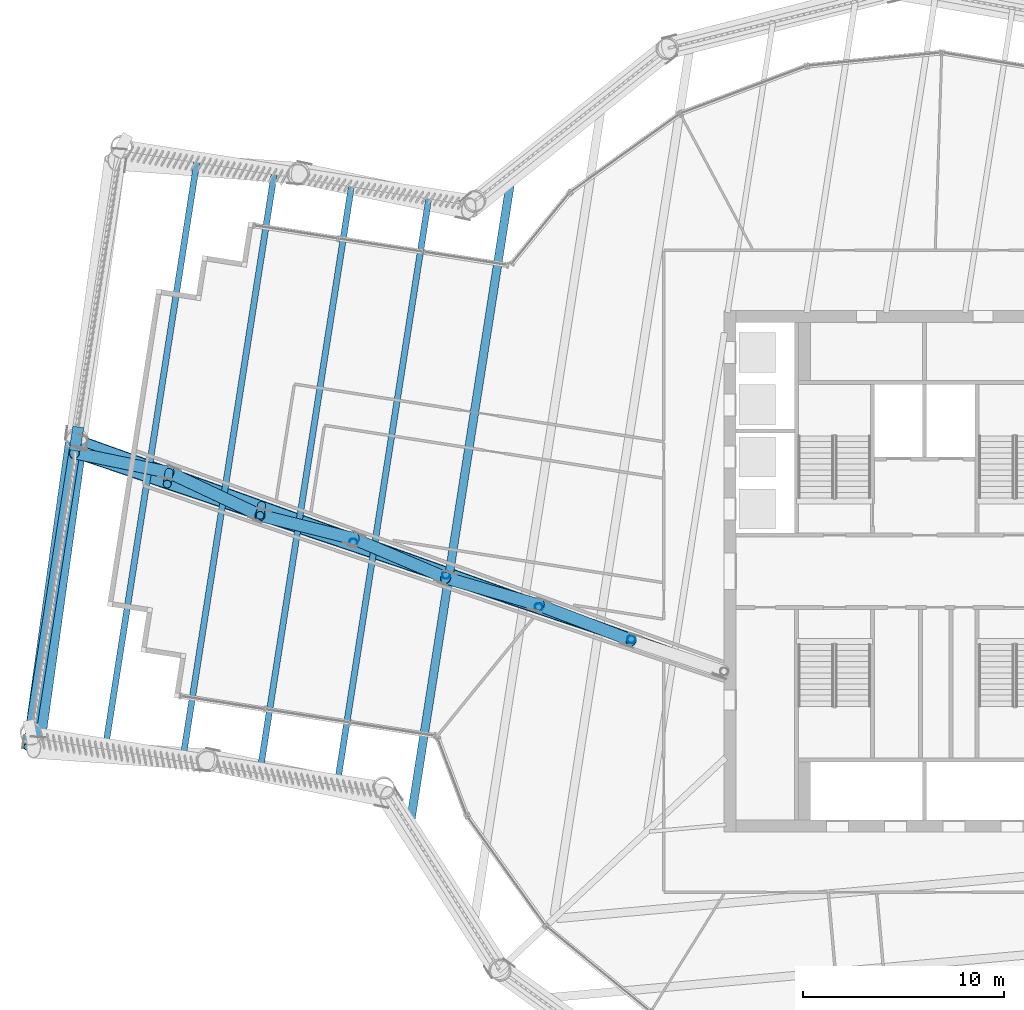
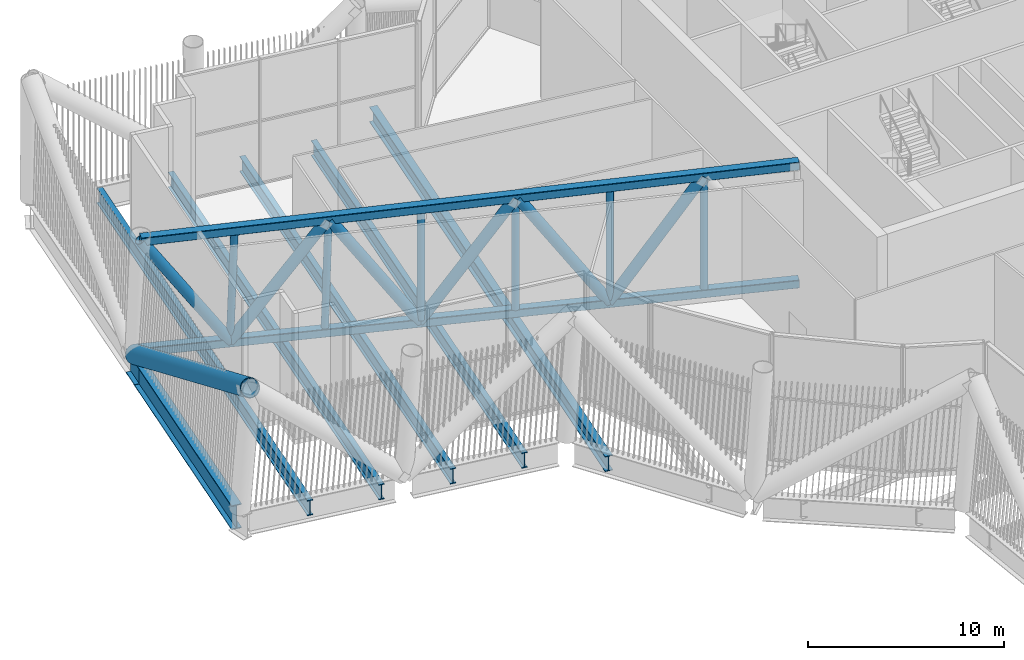
# One storey, part 13 of 55: 15 members, 7 beams.
"""IFC4 building model written with IfcOpenShell, lengths in metres."""

from ifc_helpers import new_model, si_unit, direction, frame, origin, origin_2d, place, context, subcontext, project, spatial, hollow_rectangle, hollow_circle, i_section, extrude, material, material_profile, profile_set, type_object, element, save


model = new_model("IFC4")

# Units and contexts
model_context = context("Model", 3, precision=1e-05, world=origin(), true_north=direction((0.0, 1.0)))
body_context = subcontext(model_context, "Body", "Model", "MODEL_VIEW")
ifc_project = project(units=[si_unit("LENGTHUNIT", "METRE"), si_unit("AREAUNIT", "SQUARE_METRE"), si_unit("VOLUMEUNIT", "CUBIC_METRE"), si_unit("PLANEANGLEUNIT", "RADIAN"), si_unit("MASSUNIT", "GRAM", prefix="KILO")], contexts=[model_context])

# Site, building, storey
site_placement = place(None, origin())
site = spatial("IfcSite", under=ifc_project, at=site_placement, CompositionType="ELEMENT")
building_placement = place(site_placement, origin())
building = spatial("IfcBuilding", under=site, at=building_placement, Name="Tarsis Ring Headquarters", CompositionType="ELEMENT")
storey_placement = place(building_placement, frame((0.0, 0.0, 247.199951171875)))
storey = spatial("IfcBuildingStorey", under=building, at=storey_placement, Name="L58", CompositionType="ELEMENT", Elevation=247.199951171875)

# Beams
ifc_material = material(Name="Structural steel S355", Category="steel")
ifc_material_profile_1 = material_profile(ifc_material, i_section(OverallWidth=0.309814453125, OverallDepth=0.949951171875, WebThickness=0.0244140625, FlangeThickness=0.0439453125, at=origin_2d()), Name="W36x256")
ifc_profile_set_1 = profile_set([ifc_material_profile_1], Name="Structural steel S355")
beam_type_1 = type_object("IfcBeamType", Name="FB Floor beam W36x256", PredefinedType="JOIST", material=ifc_profile_set_1)
for number, where, z_axis, x_axis, name in (
    (1, (-24.675048828125, 18.920654296875, -0.77490234375), (-0.154365872741, -0.988013753615, 0.0), (0.988013753615, -0.154365872741, 0.0), "Floor beam FB11"),
    (2, (-28.5283203125, 19.522705078125, -0.77490234375), (-0.154365872741, -0.988013753615, 0.0), (0.988013753615, -0.154365872741, 0.0), "Floor beam FB11"),
    (3, (-32.381591796875, 20.124755859375, -0.77490234375), (-0.154365872741, -0.988013753615, 0.0), (0.988013753615, -0.154365872741, 0.0), "Floor beam FB11"),
    (4, (-36.23486328125, 20.726806640625, -0.77490234375), (-0.154365872741, -0.988013753615, 0.0), (0.988013753615, -0.154365872741, 0.0), "Floor beam FB11"),
):
    element("IfcBeam", number, at=place(storey_placement, frame(where, z_axis=z_axis, x_axis=x_axis)), inside=storey, type_object=beam_type_1, Name=name, PredefinedType="JOIST", context=body_context, shape_type="SweptSolid", body=[
        extrude(i_section(OverallWidth=0.309814453125, OverallDepth=0.949951171875, WebThickness=0.0244140625, FlangeThickness=0.0439453125, at=origin_2d()), origin(), (0.0, 0.0, 1.0), 29.77001953125),
    ])
ifc_material_profile_2 = material_profile(ifc_material, i_section(OverallWidth=0.42431640625, OverallDepth=0.947509765625, WebThickness=0.02392578125, FlangeThickness=0.042724609375, at=origin_2d()), Name="W36x302")
ifc_profile_set_2 = profile_set([ifc_material_profile_2], Name="Structural steel S355")
beam_type_2 = type_object("IfcBeamType", Name="FB Floor beam W36x302", PredefinedType="JOIST", material=ifc_profile_set_2)
beam_1_placement = place(storey_placement, frame((-20.556884765625, 20.013916015625, -0.773681640625), z_axis=(-0.154368379783, -0.988013361915, 0.0), x_axis=(0.988013361915, -0.154368379783, 0.0)))
element("IfcBeam", 5, at=beam_1_placement, inside=storey, type_object=beam_type_2, Name="Floor beam FB12", PredefinedType="JOIST", context=body_context, shape_type="SweptSolid", body=[
    extrude(i_section(OverallWidth=0.42431640625, OverallDepth=0.947509765625, WebThickness=0.02392578125, FlangeThickness=0.042724609375, at=origin_2d()), origin(), (0.0, 0.0, 1.0), 33.293212890625),
])

# Members
ifc_material_profile_3 = material_profile(ifc_material, hollow_rectangle(XDim=0.508056640625, YDim=0.508056640625, WallThickness=0.025390625, InnerFilletRadius=0.025390625, OuterFilletRadius=0.05078125, at=origin_2d()), Name="HSS 508x508x25")
ifc_profile_set_3 = profile_set([ifc_material_profile_3], Name="Structural steel S355")
member_type_1 = type_object("IfcMemberType", Name="OC Outrigger chord HSS 508x508x25", PredefinedType="CHORD", material=ifc_profile_set_3)
member_1_placement = place(storey_placement, frame((-10.0, -5.0, 0.254150390625), z_axis=(-0.941268575667, 0.337658804805, 0.0), x_axis=(-0.337658804805, -0.941268575667, 0.0)))
element("IfcMember", 6, at=member_1_placement, inside=storey, type_object=member_type_1, Name="Outrigger chord OC1", PredefinedType="CHORD", context=body_context, shape_type="SweptSolid", body=[
    extrude(hollow_rectangle(XDim=0.508056640625, YDim=0.508056640625, WallThickness=0.025390625, InnerFilletRadius=0.025390625, OuterFilletRadius=0.05078125, at=origin_2d()), origin(), (0.0, 0.0, 1.0), 34.305419921875),
])
member_2_placement = place(storey_placement, frame((-10.0, -5.0, 7.5859375), z_axis=(-0.947719568935, 0.319104400874, 0.0), x_axis=(-0.319104400874, -0.947719568935, 0.0)))
element("IfcMember", 7, at=member_2_placement, inside=storey, type_object=member_type_1, Name="Outrigger chord OC1", PredefinedType="CHORD", context=body_context, shape_type="SweptSolid", body=[
    extrude(hollow_rectangle(XDim=0.508056640625, YDim=0.508056640625, WallThickness=0.025390625, InnerFilletRadius=0.025390625, OuterFilletRadius=0.05078125, at=origin_2d()), origin(), (0.0, 0.0, 1.0), 34.177001953125),
])
ifc_material_profile_4 = material_profile(ifc_material, hollow_circle(Radius=0.3046875, WallThickness=0.02490234375, at=origin_2d()), Name="CHS 610x25")
ifc_profile_set_4 = profile_set([ifc_material_profile_4], Name="Structural steel S355")
member_type_2 = type_object("IfcMemberType", Name="OD Outrigger diagonal CHS 610x25", PredefinedType="BRACE", material=ifc_profile_set_4)
member_3_placement = place(storey_placement, frame((-14.627197265625, -3.44189453125, 7.5859375), z_axis=(-0.520792276444, 0.198352293014, -0.830320283175), x_axis=(-0.355925180385, -0.93451445466, 0.0)))
element("IfcMember", 8, at=member_3_placement, inside=storey, type_object=member_type_2, Name="Outrigger diagonal OD1", PredefinedType="BRACE", context=body_context, shape_type="SweptSolid", body=[
    extrude(hollow_circle(Radius=0.3046875, WallThickness=0.02490234375, at=origin_2d()), origin(), (0.0, 0.0, 1.0), 8.830078125),
])
member_4_placement = place(storey_placement, frame((-19.225830078125, -1.6904296875, 0.254150390625), z_axis=(-0.529566402662, 0.155204332694, 0.833949063363), x_axis=(-0.281248063871, -0.959635100738, 0.0)))
element("IfcMember", 9, at=member_4_placement, inside=storey, type_object=member_type_2, Name="Outrigger diagonal OD1", PredefinedType="BRACE", context=body_context, shape_type="SweptSolid", body=[
    extrude(hollow_circle(Radius=0.3046875, WallThickness=0.02490234375, at=origin_2d()), origin(), (0.0, 0.0, 1.0), 8.791748046875),
])
member_5_placement = place(storey_placement, frame((-23.881591796875, -0.325927734375, 7.5859375), z_axis=(-0.516057897533, 0.219639578484, -0.827914670698), x_axis=(-0.391616262891, -0.920128633746, 0.0)))
element("IfcMember", 10, at=member_5_placement, inside=storey, type_object=member_type_2, Name="Outrigger diagonal OD1", PredefinedType="BRACE", context=body_context, shape_type="SweptSolid", body=[
    extrude(hollow_circle(Radius=0.3046875, WallThickness=0.02490234375, at=origin_2d()), origin(), (0.0, 0.0, 1.0), 8.855712890625),
])
member_6_placement = place(storey_placement, frame((-28.45166015625, 1.619140625, 0.254150390625), z_axis=(-0.533589429565, 0.133376499932, 0.835160481538), x_axis=(-0.242499933374, -0.970151422363, 0.0)))
element("IfcMember", 11, at=member_6_placement, inside=storey, type_object=member_type_2, Name="Outrigger diagonal OD1", PredefinedType="BRACE", context=body_context, shape_type="SweptSolid", body=[
    extrude(hollow_circle(Radius=0.3046875, WallThickness=0.02490234375, at=origin_2d()), origin(), (0.0, 0.0, 1.0), 8.77880859375),
])
member_7_placement = place(storey_placement, frame((-33.135986328125, 2.7900390625, 7.5859375), z_axis=(-0.511107037271, 0.240689046688, -0.825129310627), x_axis=(-0.42604060809, -0.904704040147, 0.0)))
element("IfcMember", 12, at=member_7_placement, inside=storey, type_object=member_type_2, Name="Outrigger diagonal OD1", PredefinedType="BRACE", context=body_context, shape_type="SweptSolid", body=[
    extrude(hollow_circle(Radius=0.3046875, WallThickness=0.02490234375, at=origin_2d()), origin(), (0.0, 0.0, 1.0), 8.8857421875),
])
member_8_placement = place(storey_placement, frame((-37.677490234375, 4.9287109375, 0.254150390625), z_axis=(-0.537337756631, 0.1114315412, 0.835973173568), x_axis=(-0.203056796589, -0.979166960921, 0.0)))
element("IfcMember", 13, at=member_8_placement, inside=storey, type_object=member_type_2, Name="Outrigger diagonal OD1", PredefinedType="BRACE", context=body_context, shape_type="SweptSolid", body=[
    extrude(hollow_circle(Radius=0.3046875, WallThickness=0.02490234375, at=origin_2d()), origin(), (0.0, 0.0, 1.0), 8.770263671875),
])
ifc_material_profile_5 = material_profile(ifc_material, hollow_circle(Radius=0.203125, WallThickness=0.01611328125, at=origin_2d()), Name="CHS 406x16")
ifc_profile_set_5 = profile_set([ifc_material_profile_5], Name="Structural steel S355")
member_type_3 = type_object("IfcMemberType", Name="OV Outrigger post CHS 406x16", PredefinedType="STRUT", material=ifc_profile_set_5)
for number, where, z_axis, x_axis, name in (
    (14, (-14.6201171875, -3.3935546875, 0.508056640625), (0.0, 0.0, 1.0), (1.0, 0.0, 0.0), "Outrigger post OV1"),
    (15, (-19.239990234375, -1.787109375, 0.508056640625), (0.0, 0.0, 1.0), (1.0, 0.0, 0.0), "Outrigger post OV1"),
    (16, (-23.860107421875, -0.180908203125, 0.508056640625), (0.0, 0.0, 1.0), (1.0, 0.0, 0.0), "Outrigger post OV1"),
    (17, (-28.480224609375, 1.425537109375, 0.508056640625), (0.0, 0.0, 1.0), (1.0, 0.0, 0.0), "Outrigger post OV1"),
):
    element("IfcMember", number, at=place(storey_placement, frame(where, z_axis=z_axis, x_axis=x_axis)), inside=storey, type_object=member_type_3, Name=name, PredefinedType="STRUT", context=body_context, shape_type="SweptSolid", body=[
        extrude(hollow_circle(Radius=0.203125, WallThickness=0.01611328125, at=origin_2d()), origin(), (0.0, 0.0, 1.0), 6.823974609375),
    ])
member_9_placement = place(storey_placement, frame((-33.064697265625, 3.27392578125, 0.508056640625), z_axis=(-0.010420121869, -0.070728361456, 0.997441186209), x_axis=(0.989321062803, -0.14575264901, 0.0)))
element("IfcMember", 18, at=member_9_placement, inside=storey, type_object=member_type_3, Name="Outrigger post OV1", PredefinedType="STRUT", context=body_context, shape_type="SweptSolid", body=[
    extrude(hollow_circle(Radius=0.203125, WallThickness=0.01611328125, at=origin_2d()), origin(), (0.0, 0.0, 1.0), 6.841552734375),
])
member_10_placement = place(storey_placement, frame((-37.677490234375, 4.9287109375, 0.508056640625), z_axis=(-0.012475868965, -0.084764618282, 0.996322895542), x_axis=(0.989341514257, -0.145613763663, 0.0)))
element("IfcMember", 19, at=member_10_placement, inside=storey, type_object=member_type_3, Name="Outrigger post OV1", PredefinedType="STRUT", context=body_context, shape_type="SweptSolid", body=[
    extrude(hollow_circle(Radius=0.203125, WallThickness=0.01611328125, at=origin_2d()), origin(), (0.0, 0.0, 1.0), 6.84912109375),
])
ifc_material_profile_6 = material_profile(ifc_material, hollow_circle(Radius=0.533447265625, WallThickness=0.044921875, at=origin_2d()), Name="CHS 1067x45")
ifc_profile_set_6 = profile_set([ifc_material_profile_6], Name="Structural steel S355")
member_type_4 = type_object("IfcMemberType", Name="TD Belt truss diagonal CHS 1067x45", PredefinedType="BRACE", material=ifc_profile_set_6)
member_11_placement = place(storey_placement, frame((-42.287109375, 6.60693359375, 0.0), z_axis=(-0.122261516578, -0.880740911338, 0.457545154777), x_axis=(0.990502018394, -0.137498187473, 0.0)))
element("IfcMember", 20, at=member_11_placement, inside=storey, type_object=member_type_4, Name="Belt truss diagonal TD5", PredefinedType="BRACE", context=body_context, shape_type="SweptSolid", body=[
    extrude(hollow_circle(Radius=0.533447265625, WallThickness=0.044921875, at=origin_2d()), origin(), (0.0, 0.0, 1.0), 17.484619140625),
])

# Beams
ifc_material_profile_7 = material_profile(ifc_material, i_section(OverallWidth=0.550048828125, OverallDepth=1.5, WebThickness=0.030029296875, FlangeThickness=0.050048828125, at=origin_2d()), Name="PG 1500x550x30x50")
ifc_profile_set_7 = profile_set([ifc_material_profile_7], Name="Structural steel S355")
beam_type_3 = type_object("IfcBeamType", Name="XG Ring girder PG 1500x550x30x50", PredefinedType="BEAM", material=ifc_profile_set_7)
beam_2_placement = place(storey_placement, frame((-42.19482421875, 7.1962890625, -0.723876953125), z_axis=(-0.154426532979, -0.988004274238, 0.0), x_axis=(0.988004274238, -0.154426532979, 0.0)))
element("IfcBeam", 21, at=beam_2_placement, inside=storey, type_object=beam_type_3, Name="Ring girder XG6", PredefinedType="BEAM", context=body_context, shape_type="SweptSolid", body=[
    extrude(i_section(OverallWidth=0.550048828125, OverallDepth=1.5, WebThickness=0.030029296875, FlangeThickness=0.050048828125, at=origin_2d()), origin(), (0.0, 0.0, 1.0), 1.199951171875),
])
beam_3_placement = place(storey_placement, frame((-42.361083984375, 6.132568359375, -0.75), z_axis=(-0.154369884706, -0.988013126783, 0.0), x_axis=(0.988013126783, -0.154369884706, 0.0)))
element("IfcBeam", 22, at=beam_3_placement, inside=storey, type_object=beam_type_3, Name="Ring girder XG6", PredefinedType="BEAM", context=body_context, shape_type="SweptSolid", body=[
    extrude(i_section(OverallWidth=0.550048828125, OverallDepth=1.5, WebThickness=0.030029296875, FlangeThickness=0.050048828125, at=origin_2d()), origin(), (0.0, 0.0, 1.0), 13.840087890625),
])

save(model, "model.ifc")
